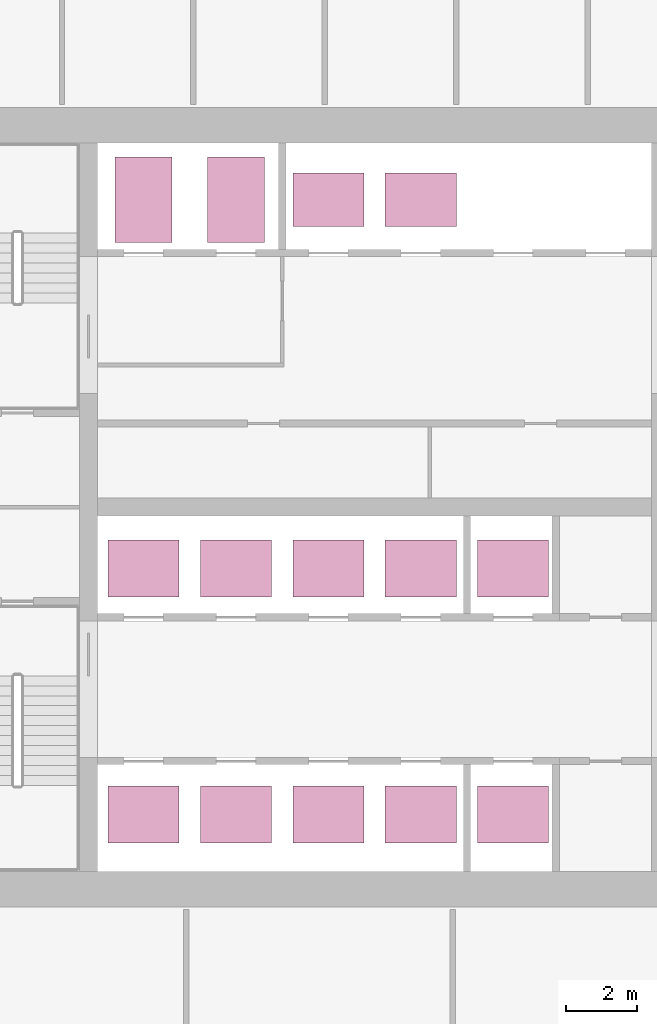
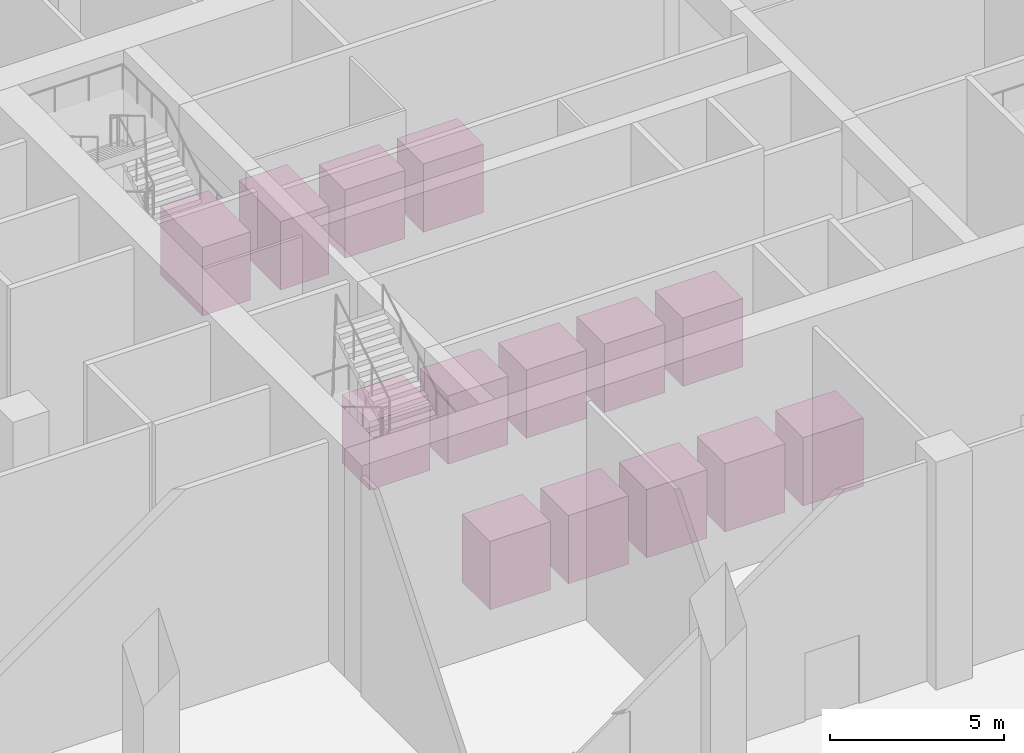
# One storey, part 57 of 57: 14 transport elements.
"""IFC4 building model written with IfcOpenShell, lengths in metres."""

from ifc_helpers import new_model, si_unit, direction, frame, origin, origin_2d, place, context, subcontext, project, spatial, rectangle, extrude, material, type_object, element, save


model = new_model("IFC4")

# Units and contexts
model_context = context("Model", 3, precision=1e-05, world=origin(), true_north=direction((0.0, 1.0)))
body_context = subcontext(model_context, "Body", "Model", "MODEL_VIEW")
ifc_project = project(units=[si_unit("LENGTHUNIT", "METRE"), si_unit("AREAUNIT", "SQUARE_METRE"), si_unit("VOLUMEUNIT", "CUBIC_METRE"), si_unit("PLANEANGLEUNIT", "RADIAN"), si_unit("MASSUNIT", "GRAM", prefix="KILO")], contexts=[model_context])

# Site, building, storey
site_placement = place(None, origin())
site = spatial("IfcSite", under=ifc_project, at=site_placement, CompositionType="ELEMENT")
building_placement = place(site_placement, origin())
building = spatial("IfcBuilding", under=site, at=building_placement, Name="Tamorin Gate", CompositionType="ELEMENT")
storey_placement = place(building_placement, origin())
storey = spatial("IfcBuildingStorey", under=building, at=storey_placement, Name="L00", CompositionType="ELEMENT", Elevation=0.0)

# Transport elements
ifc_material = material(Name="Stainless steel lift car", Category="steel")
transport_element_type_1 = type_object("IfcTransportElementType", Name="Lift car FF 1600 x 2400", PredefinedType="ELEVATOR", material=ifc_material)
for number, where, z_axis, x_axis, name in (
    (1, (36.300048828125, 79.89990234375, 0.0), (0.0, 0.0, 1.0), (1.0, 0.0, 0.0), "FF1 lift car"),
    (2, (38.89990234375, 79.89990234375, 0.0), (0.0, 0.0, 1.0), (1.0, 0.0, 0.0), "FF2 lift car"),
):
    element("IfcTransportElement", number, at=place(storey_placement, frame(where, z_axis=z_axis, x_axis=x_axis)), inside=storey, type_object=transport_element_type_1, Name=name, PredefinedType="ELEVATOR", context=body_context, shape_type="SweptSolid", body=[
        extrude(rectangle(XDim=1.60009765625, YDim=2.39990234375, at=origin_2d()), origin(), (0.0, 0.0, 1.0), 2.39990234375),
    ])
transport_element_type_2 = type_object("IfcTransportElementType", Name="Lift car LR 2000 x 1600", PredefinedType="ELEVATOR", material=ifc_material)
for number, where, z_axis, x_axis, name in (
    (3, (36.300048828125, 62.60009765625, 0.0), (0.0, 0.0, 1.0), (1.0, 0.0, 0.0), "LR1 lift car"),
    (4, (38.89990234375, 62.60009765625, 0.0), (0.0, 0.0, 1.0), (1.0, 0.0, 0.0), "LR2 lift car"),
    (5, (41.5, 62.60009765625, 0.0), (0.0, 0.0, 1.0), (1.0, 0.0, 0.0), "LR3 lift car"),
    (6, (44.10009765625, 62.60009765625, 0.0), (0.0, 0.0, 1.0), (1.0, 0.0, 0.0), "LR4 lift car"),
    (7, (46.699951171875, 62.60009765625, 0.0), (0.0, 0.0, 1.0), (1.0, 0.0, 0.0), "LR5 lift car"),
    (8, (36.300048828125, 69.52490234375, 0.0), (0.0, 0.0, 1.0), (1.0, 0.0, 0.0), "LR6 lift car"),
    (9, (38.89990234375, 69.52490234375, 0.0), (0.0, 0.0, 1.0), (1.0, 0.0, 0.0), "SH1 lift car"),
    (10, (41.5, 69.52490234375, 0.0), (0.0, 0.0, 1.0), (1.0, 0.0, 0.0), "SH2 lift car"),
    (11, (44.10009765625, 69.52490234375, 0.0), (0.0, 0.0, 1.0), (1.0, 0.0, 0.0), "SH3 lift car"),
    (12, (46.699951171875, 69.52490234375, 0.0), (0.0, 0.0, 1.0), (1.0, 0.0, 0.0), "SH4 lift car"),
):
    element("IfcTransportElement", number, at=place(storey_placement, frame(where, z_axis=z_axis, x_axis=x_axis)), inside=storey, type_object=transport_element_type_2, Name=name, PredefinedType="ELEVATOR", context=body_context, shape_type="SweptSolid", body=[
        extrude(rectangle(XDim=2.0, YDim=1.60009765625, at=origin_2d()), origin(), (0.0, 0.0, 1.0), 2.39990234375),
    ])
transport_element_type_3 = type_object("IfcTransportElementType", Name="Lift car OB 2000 x 1500", PredefinedType="ELEVATOR", material=ifc_material)
for number, where, z_axis, x_axis, name in (
    (13, (41.5, 79.89990234375, 0.0), (0.0, 0.0, 1.0), (1.0, 0.0, 0.0), "OB1 lift car"),
    (14, (44.10009765625, 79.89990234375, 0.0), (0.0, 0.0, 1.0), (1.0, 0.0, 0.0), "OB2 lift car"),
):
    element("IfcTransportElement", number, at=place(storey_placement, frame(where, z_axis=z_axis, x_axis=x_axis)), inside=storey, type_object=transport_element_type_3, Name=name, PredefinedType="ELEVATOR", context=body_context, shape_type="SweptSolid", body=[
        extrude(rectangle(XDim=2.0, YDim=1.5, at=origin_2d()), origin(), (0.0, 0.0, 1.0), 2.39990234375),
    ])

save(model, "model.ifc")
